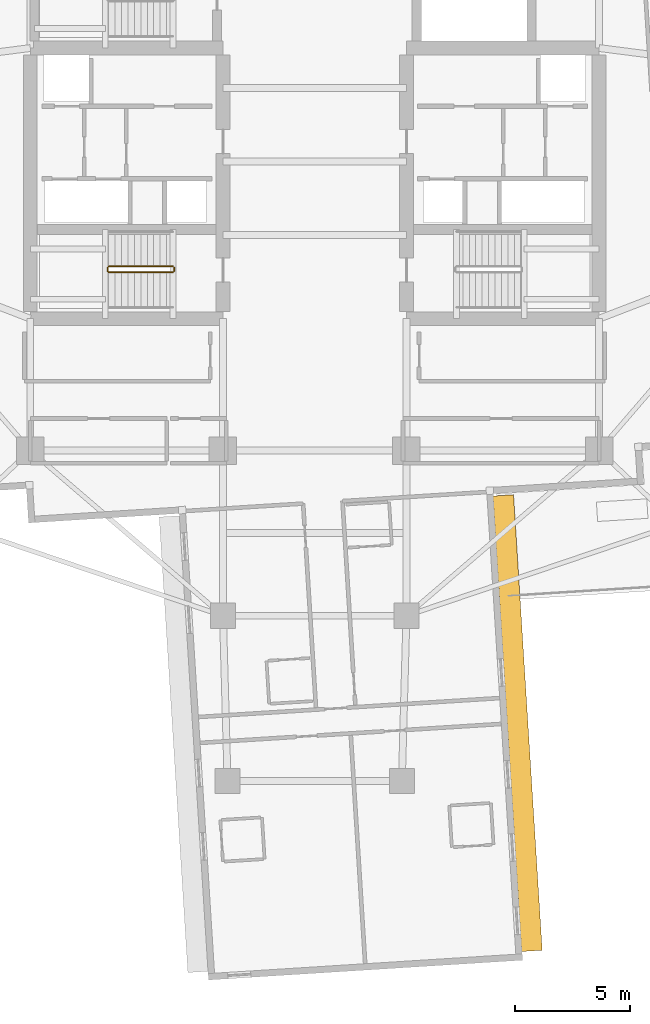
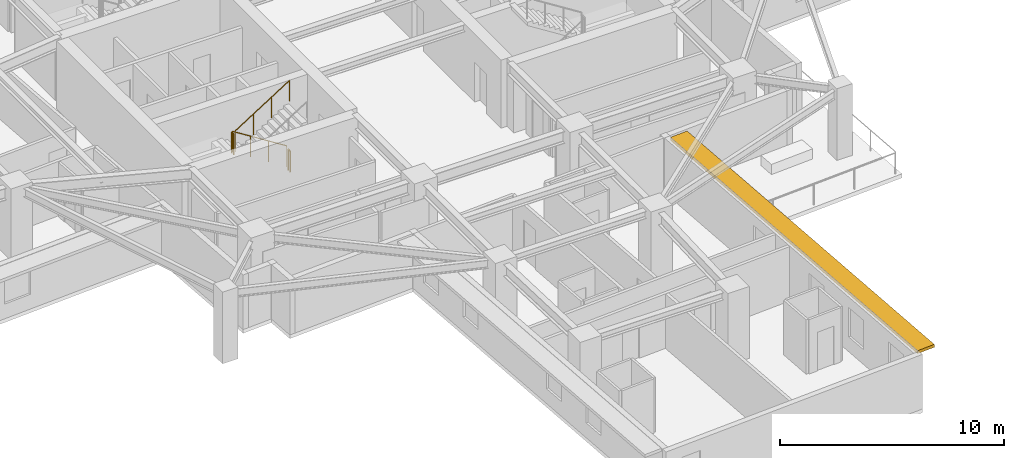
# One storey, part 11 of 14: 4 railings, 1 shading device.
"""IFC4 building model written with IfcOpenShell, lengths in metres."""

from ifc_helpers import new_model, si_unit, direction, frame, origin, origin_2d, place, context, subcontext, project, spatial, rectangle, circle, extrude, material, layer, layer_set, type_object, element, save


model = new_model("IFC4")

# Units and contexts
model_context = context("Model", 3, precision=1e-05, world=origin(), true_north=direction((0.0, 1.0)))
body_context = subcontext(model_context, "Body", "Model", "MODEL_VIEW")
ifc_project = project(units=[si_unit("LENGTHUNIT", "METRE"), si_unit("AREAUNIT", "SQUARE_METRE"), si_unit("VOLUMEUNIT", "CUBIC_METRE"), si_unit("PLANEANGLEUNIT", "RADIAN"), si_unit("MASSUNIT", "GRAM", prefix="KILO")], contexts=[model_context])

# Site, building, storey
site_placement = place(None, origin())
site = spatial("IfcSite", under=ifc_project, at=site_placement, CompositionType="ELEMENT")
building_placement = place(site_placement, origin())
building = spatial("IfcBuilding", under=site, at=building_placement, Name="Qingluan Cross Belvedere", CompositionType="ELEMENT")
storey_placement = place(building_placement, frame((0.0, 0.0, 120.300048828125)))
storey = spatial("IfcBuildingStorey", under=building, at=storey_placement, Name="L30", CompositionType="ELEMENT", Elevation=120.300048828125)

# Shading device
ifc_material_1 = material(Name="Precast concrete C45", Category="concrete")
ifc_layer = layer(ifc_material_1, 0.159912109375, Name="ConcreteSunshadeBand_900")
ifc_layer_set = layer_set([ifc_layer], Name="Precast concrete C45")
shading_device_type = type_object("IfcShadingDeviceType", Name="ConcreteSunshadeBand_900", PredefinedType="USERDEFINED", material=ifc_layer_set)
shading_device_placement = place(storey_placement, frame((8.8447265625, -24.48291015625, 2.7900390625), z_axis=(0.0, 0.0, 1.0), x_axis=(-0.062791158819, 0.998026688207, 0.0)))
element("IfcShadingDevice", 1, at=shading_device_placement, inside=storey, type_object=shading_device_type, Name="Concrete SUNSHADE L30-SB", ObjectType="SUNSHADE", PredefinedType="USERDEFINED", context=body_context, shape_type="SweptSolid", body=[
    extrude(rectangle(XDim=19.89990234375, YDim=0.89990234375, at=origin_2d()), origin(), (0.0, 0.0, 1.0), 0.159912109375),
])

# Railings
ifc_material_2 = material(Name="Painted steel stair well guard", Category="steel")
railing_type = type_object("IfcRailingType", Name="StairWellGuard_1150", PredefinedType="BALUSTRADE", material=ifc_material_2)
railing_1_placement = place(storey_placement, frame((-6.179931640625, -4.570068359375, 0.17724609375)))
element("IfcRailing", 2, at=railing_1_placement, inside=storey, type_object=railing_type, Name="L30 ST1 stair guard 1", PredefinedType="BALUSTRADE", context=body_context, shape_type="SweptSolid", body=[
    extrude(circle(Radius=0.02392578125, at=origin_2d()), frame((0.0, 0.0, 1.1259765625), z_axis=(-0.844908973607, 0.0, 0.534910110503), x_axis=(0.0, -1.0, 0.0)), (0.0, 0.0, 1.0), 3.31396484375),
    extrude(circle(Radius=0.02099609375, at=origin_2d()), origin(), (0.0, 0.0, 1.0), 1.101806640625),
    extrude(circle(Radius=0.02099609375, at=origin_2d()), frame((-0.933349609375, 0.0, 0.5908203125)), (0.0, 0.0, 1.0), 1.101806640625),
    extrude(circle(Radius=0.02099609375, at=origin_2d()), frame((-1.86669921875, 0.0, 1.181884765625)), (0.0, 0.0, 1.0), 1.101806640625),
    extrude(circle(Radius=0.02099609375, at=origin_2d()), frame((-2.800048828125, 0.0, 1.772705078125)), (0.0, 0.0, 1.0), 1.101806640625),
])
railing_2_placement = place(storey_placement, frame((-9.030029296875, -4.6201171875, 1.949951171875)))
element("IfcRailing", 3, at=railing_2_placement, inside=storey, type_object=railing_type, Name="L30 ST1 stair guard 2", PredefinedType="BALUSTRADE", context=body_context, shape_type="SweptSolid", body=[
    extrude(circle(Radius=0.02392578125, at=origin_2d()), frame((0.0, 0.0, 1.1259765625), z_axis=(0.0, -1.0, 0.0), x_axis=(1.0, 0.0, 0.0)), (0.0, 0.0, 1.0), 0.159912109375),
    extrude(circle(Radius=0.02099609375, at=origin_2d()), origin(), (0.0, 0.0, 1.0), 1.101806640625),
    extrude(circle(Radius=0.02099609375, at=origin_2d()), frame((0.0, -0.159912109375, 0.0)), (0.0, 0.0, 1.0), 1.101806640625),
])
railing_3_placement = place(storey_placement, frame((-8.97998046875, -4.830078125, 2.127197265625)))
element("IfcRailing", 4, at=railing_3_placement, inside=storey, type_object=railing_type, Name="L30 ST1 stair guard 3", PredefinedType="BALUSTRADE", context=body_context, shape_type="SweptSolid", body=[
    extrude(circle(Radius=0.02392578125, at=origin_2d()), frame((0.0, 0.0, 1.1259765625), z_axis=(0.844908973607, 0.0, 0.534910110503), x_axis=(0.0, 1.0, 0.0)), (0.0, 0.0, 1.0), 3.31396484375),
    extrude(circle(Radius=0.02099609375, at=origin_2d()), origin(), (0.0, 0.0, 1.0), 1.101806640625),
    extrude(circle(Radius=0.02099609375, at=origin_2d()), frame((0.933349609375, 0.0, 0.5908203125)), (0.0, 0.0, 1.0), 1.101806640625),
    extrude(circle(Radius=0.02099609375, at=origin_2d()), frame((1.86669921875, 0.0, 1.181884765625)), (0.0, 0.0, 1.0), 1.101806640625),
    extrude(circle(Radius=0.02099609375, at=origin_2d()), frame((2.800048828125, 0.0, 1.772705078125)), (0.0, 0.0, 1.0), 1.101806640625),
])
railing_4_placement = place(storey_placement, frame((-6.1298828125, -4.6201171875, 0.0)))
element("IfcRailing", 5, at=railing_4_placement, inside=storey, type_object=railing_type, Name="L30 ST1 stair guard 4", PredefinedType="BALUSTRADE", context=body_context, shape_type="SweptSolid", body=[
    extrude(circle(Radius=0.02392578125, at=origin_2d()), frame((0.0, 0.0, 1.1259765625), z_axis=(0.0, -1.0, 0.0), x_axis=(1.0, 0.0, 0.0)), (0.0, 0.0, 1.0), 0.159912109375),
    extrude(circle(Radius=0.02099609375, at=origin_2d()), origin(), (0.0, 0.0, 1.0), 1.101806640625),
    extrude(circle(Radius=0.02099609375, at=origin_2d()), frame((0.0, -0.159912109375, 0.0)), (0.0, 0.0, 1.0), 1.101806640625),
])

save(model, "model.ifc")
